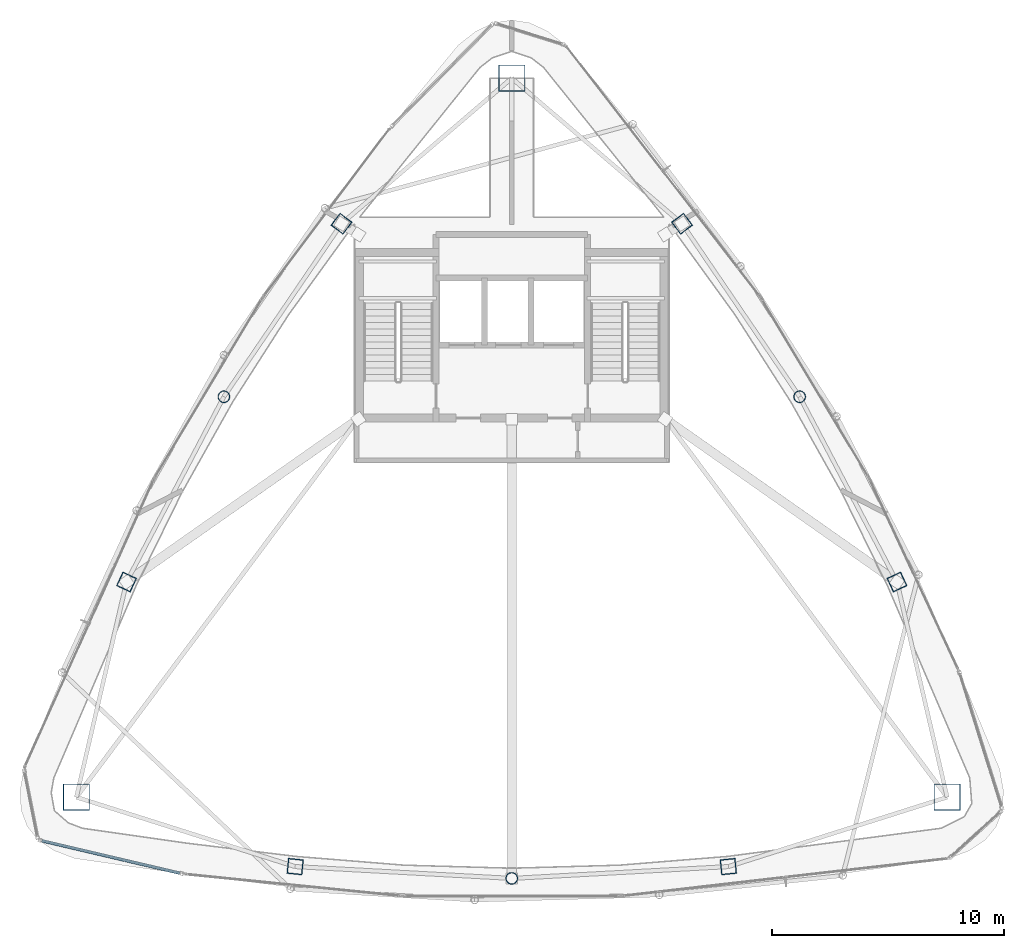
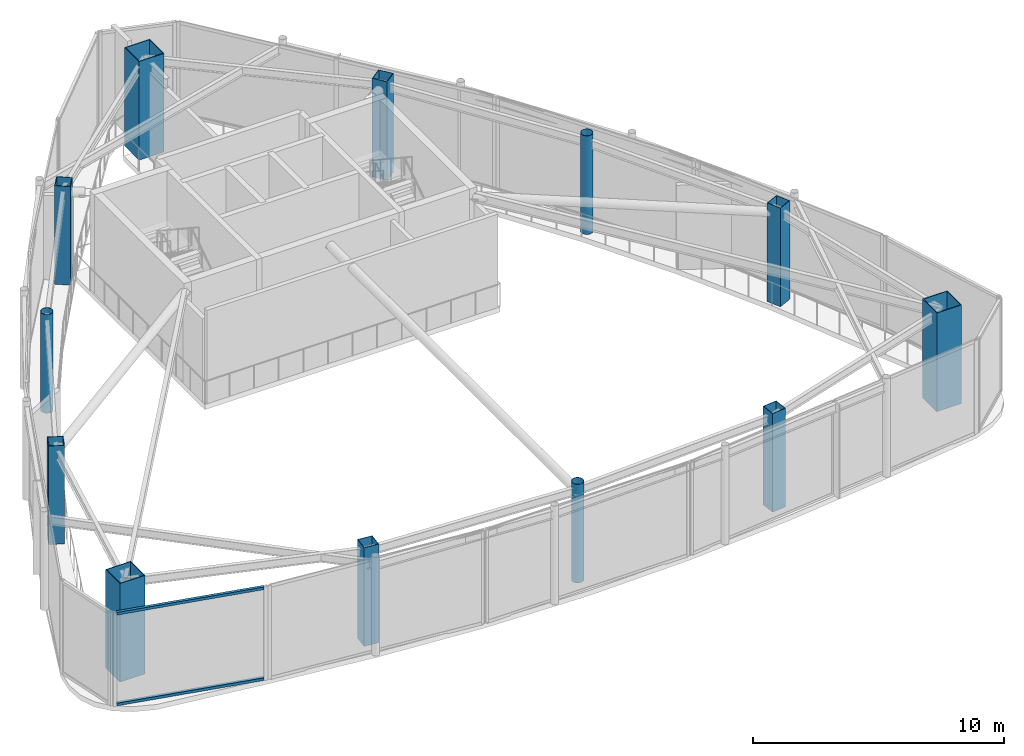
# One storey, part 1 of 20: 12 columns, 2 members, 1 element without a shape of its own.
"""IFC4 building model written with IfcOpenShell, lengths in metres."""

from ifc_helpers import new_model, si_unit, direction, frame, origin, origin_2d, place, context, subcontext, project, spatial, hollow_rectangle, hollow_circle, extrude, material, layer, layer_set, material_profile, profile_set, type_object, element, aggregate, save


model = new_model("IFC4")

# Units and contexts
model_context = context("Model", 3, precision=1e-05, world=origin(), true_north=direction((0.0, 1.0)))
body_context = subcontext(model_context, "Body", "Model", "MODEL_VIEW")
ifc_project = project(units=[si_unit("LENGTHUNIT", "METRE"), si_unit("AREAUNIT", "SQUARE_METRE"), si_unit("VOLUMEUNIT", "CUBIC_METRE"), si_unit("PLANEANGLEUNIT", "RADIAN"), si_unit("MASSUNIT", "GRAM", prefix="KILO")], contexts=[model_context])

# Site, building, storey
site_placement = place(None, origin())
site = spatial("IfcSite", under=ifc_project, at=site_placement, CompositionType="ELEMENT")
building_placement = place(site_placement, origin())
building = spatial("IfcBuilding", under=site, at=building_placement, Name="Orvanel Arch Residences", CompositionType="ELEMENT")
storey_placement = place(building_placement, frame((0.0, 0.0, 305.300048828125)))
storey = spatial("IfcBuildingStorey", under=building, at=storey_placement, Name="L85", CompositionType="ELEMENT", Elevation=305.300048828125)

# Columns
ifc_material_1 = material(Name="Structural steel AS/NZS 1163 C350L0 (Grade 350)", Category="steel")
ifc_material_profile_1 = material_profile(ifc_material_1, hollow_circle(Radius=0.25390625, WallThickness=0.01611328125, at=origin_2d()), Name="CHS508x16")
ifc_profile_set_1 = profile_set([ifc_material_profile_1], Name="Structural steel AS/NZS 1163 C350L0 (Grade 350)")
column_type_1 = type_object("IfcColumnType", Name="CC-508", PredefinedType="COLUMN", material=ifc_profile_set_1)
for number, where, z_axis, x_axis, name in (
    (1, (20.569091796875, 27.64111328125, 0.0), (0.0, 0.0, 1.0), (1.0, 0.0, 0.0), "L85 High-Rise Tube Column 02"),
    (2, (33.0, 6.843994140625, 0.0), (0.0, 0.0, 1.0), (1.0, 0.0, 0.0), "L85 High-Rise Tube Column 05"),
    (3, (45.430908203125, 27.64111328125, 0.0), (0.0, 0.0, 1.0), (1.0, 0.0, 0.0), "L85 High-Rise Tube Column 08"),
):
    element("IfcColumn", number, at=place(storey_placement, frame(where, z_axis=z_axis, x_axis=x_axis)), inside=storey, type_object=column_type_1, Name=name, PredefinedType="COLUMN", context=body_context, shape_type="SweptSolid", body=[
        extrude(hollow_circle(Radius=0.25390625, WallThickness=0.01611328125, at=origin_2d()), origin(), (0.0, 0.0, 1.0), 4.800048828125),
    ])
ifc_material_2 = material(Name="Structural steel AS/NZS 3678 Grade 450", Category="steel")
ifc_material_profile_2 = material_profile(ifc_material_2, hollow_rectangle(XDim=1.14990234375, YDim=1.14990234375, WallThickness=0.035888671875, at=origin_2d()), Name="BOX1150x1150x36")
ifc_profile_set_2 = profile_set([ifc_material_profile_2], Name="Structural steel AS/NZS 3678 Grade 450")
column_type_2 = type_object("IfcColumnType", Name="MC-1150", PredefinedType="COLUMN", material=ifc_profile_set_2)
for number, where, z_axis, x_axis, name in (
    (4, (33.0, 41.39794921875, 0.0), (0.0, 0.0, 1.0), (1.0, 0.0, 0.0), "L85 Corner Mega-Column 1"),
    (5, (14.198974609375, 10.35107421875, 0.0), (0.0, 0.0, 1.0), (1.0, 0.0, 0.0), "L85 Corner Mega-Column 2"),
    (6, (51.801025390625, 10.35107421875, 0.0), (0.0, 0.0, 1.0), (1.0, 0.0, 0.0), "L85 Corner Mega-Column 3"),
):
    element("IfcColumn", number, at=place(storey_placement, frame(where, z_axis=z_axis, x_axis=x_axis)), inside=storey, type_object=column_type_2, Name=name, PredefinedType="COLUMN", context=body_context, shape_type="SweptSolid", body=[
        extrude(hollow_rectangle(XDim=1.14990234375, YDim=1.14990234375, WallThickness=0.035888671875, at=origin_2d()), origin(), (0.0, 0.0, 1.0), 4.800048828125),
    ])
ifc_material_3 = material(Name="Structural steel AS/NZS 3678 Grade 350", Category="steel")
ifc_material_profile_3 = material_profile(ifc_material_3, hollow_rectangle(XDim=0.64990234375, YDim=0.64990234375, WallThickness=0.02197265625, at=origin_2d()), Name="BOX650x650x22")
ifc_profile_set_3 = profile_set([ifc_material_profile_3], Name="Structural steel AS/NZS 3678 Grade 350")
column_type_3 = type_object("IfcColumnType", Name="TC-650", PredefinedType="COLUMN", material=ifc_profile_set_3)
for number, where, z_axis, x_axis, name in (
    (7, (25.64794921875, 35.113037109375, 0.0), (0.0, 0.0, 1.0), (0.600420225326, 0.799684658487, 0.0), "L85 High-Rise Tube Column 01"),
    (8, (16.366943359375, 19.64208984375, 0.0), (0.0, 0.0, 1.0), (0.422618261741, 0.906307787037, 0.0), "L85 High-Rise Tube Column 03"),
    (9, (23.64892578125, 7.35498046875, 0.0), (0.0, 0.0, 1.0), (-0.994880708829, 0.101056297183, 0.0), "L85 High-Rise Tube Column 04"),
    (10, (42.35107421875, 7.35498046875, 0.0), (0.0, 0.0, 1.0), (0.994880708829, 0.101056297183, 0.0), "L85 High-Rise Tube Column 06"),
    (11, (49.633056640625, 19.64208984375, 0.0), (0.0, 0.0, 1.0), (-0.422618261741, 0.906307787037, 0.0), "L85 High-Rise Tube Column 07"),
    (12, (40.35205078125, 35.113037109375, 0.0), (0.0, 0.0, 1.0), (-0.600420225326, 0.799684658487, 0.0), "L85 High-Rise Tube Column 09"),
):
    element("IfcColumn", number, at=place(storey_placement, frame(where, z_axis=z_axis, x_axis=x_axis)), inside=storey, type_object=column_type_3, Name=name, PredefinedType="COLUMN", context=body_context, shape_type="SweptSolid", body=[
        extrude(hollow_rectangle(XDim=0.64990234375, YDim=0.64990234375, WallThickness=0.02197265625, at=origin_2d()), origin(), (0.0, 0.0, 1.0), 4.800048828125),
    ])

# Curtain wall, members
ifc_material_4 = material(Name="Bronze-anodised aluminium AA6063-T6", Category="aluminium")
ifc_layer = layer(ifc_material_4, 0.2099609375)
ifc_layer_set = layer_set([ifc_layer], Name="Bronze-anodised aluminium AA6063-T6")
curtain_wall_type = type_object("IfcCurtainWallType", Name="CW7-TOP-SYS", PredefinedType="NOTDEFINED", material=ifc_layer_set)
curtain_wall_placement = place(storey_placement, origin())
curtain_wall = element("IfcCurtainWall", 13, at=curtain_wall_placement, inside=storey, type_object=curtain_wall_type, Name="L85 CW7-TOP-SYS Unitised Curtain Wall", PredefinedType="NOTDEFINED")
ifc_material_profile_4 = material_profile(ifc_material_4, hollow_rectangle(XDim=0.1298828125, YDim=0.1298828125, WallThickness=0.00439453125, at=origin_2d()), Name="ALU130x130x4.5")
ifc_profile_set_4 = profile_set([ifc_material_profile_4], Name="Bronze-anodised aluminium AA6063-T6")
member_type = type_object("IfcMemberType", Name="TRN-130x130", PredefinedType="USERDEFINED", material=ifc_profile_set_4)
member_1_placement = place(storey_placement, frame((12.7060546875, 8.47265625, 0.06494140625), z_axis=(0.973511117585, -0.228639681462, 0.0), x_axis=(0.228639681462, 0.973511117585, 0.0)))
member_1 = element("IfcMember", 14, at=member_1_placement, type_object=member_type, Name="CW-S7 transom 1.1", ObjectType="TRANSOM", PredefinedType="USERDEFINED", context=body_context, shape_type="SweptSolid", body=[
    extrude(hollow_rectangle(XDim=0.1298828125, YDim=0.1298828125, WallThickness=0.00439453125, at=origin_2d()), origin(), (0.0, 0.0, 1.0), 6.129150390625),
])
member_2_placement = place(storey_placement, frame((12.7060546875, 8.47265625, 4.48486328125), z_axis=(0.973511117585, -0.228639681462, 0.0), x_axis=(0.228639681462, 0.973511117585, 0.0)))
member_2 = element("IfcMember", 15, at=member_2_placement, type_object=member_type, Name="CW-S7 transom 1.2", ObjectType="TRANSOM", PredefinedType="USERDEFINED", context=body_context, shape_type="SweptSolid", body=[
    extrude(hollow_rectangle(XDim=0.1298828125, YDim=0.1298828125, WallThickness=0.00439453125, at=origin_2d()), origin(), (0.0, 0.0, 1.0), 6.129150390625),
])
aggregate(curtain_wall, [member_1, member_2])

save(model, "model.ifc")
